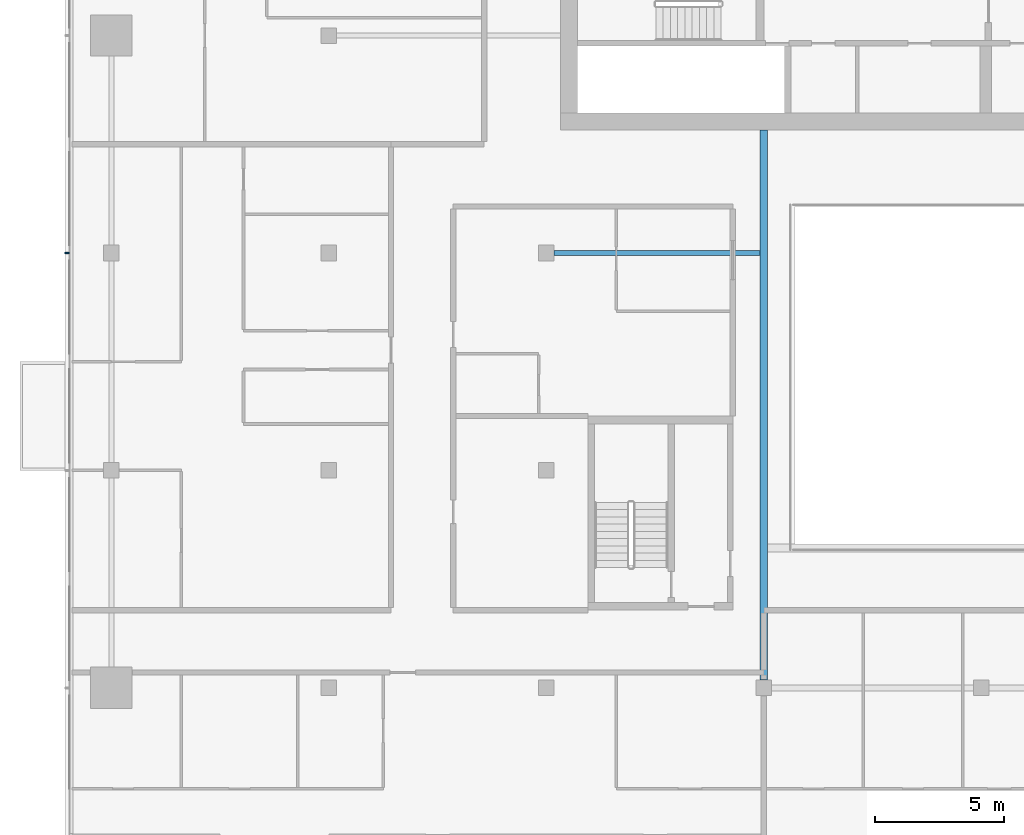
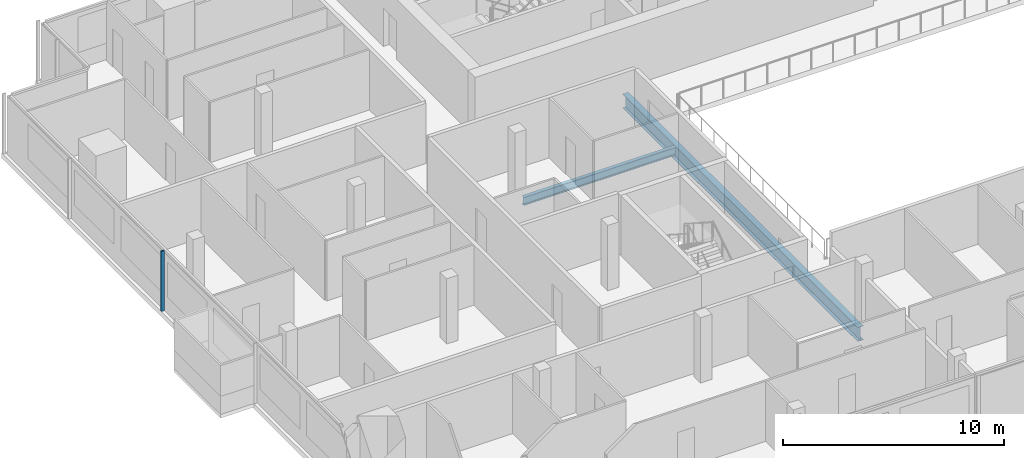
# One storey, part 4 of 27: 2 beams, 1 member, 1 element without a shape of its own.
"""IFC4 building model written with IfcOpenShell, lengths in metres."""

from ifc_helpers import new_model, si_unit, direction, frame, origin, origin_2d, place, context, subcontext, project, spatial, rectangle, i_section, extrude, material, material_profile, profile_set, type_object, element, aggregate, save


model = new_model("IFC4")

# Units and contexts
model_context = context("Model", 3, precision=1e-05, world=origin(), true_north=direction((0.0, 1.0)))
body_context = subcontext(model_context, "Body", "Model", "MODEL_VIEW")
ifc_project = project(units=[si_unit("LENGTHUNIT", "METRE"), si_unit("AREAUNIT", "SQUARE_METRE"), si_unit("VOLUMEUNIT", "CUBIC_METRE"), si_unit("PLANEANGLEUNIT", "RADIAN"), si_unit("MASSUNIT", "GRAM", prefix="KILO")], contexts=[model_context])

# Site, building, storey
site_placement = place(None, origin())
site = spatial("IfcSite", under=ifc_project, at=site_placement, CompositionType="ELEMENT")
building_placement = place(site_placement, origin())
building = spatial("IfcBuilding", under=site, at=building_placement, Name="Saffron Gate Tower", CompositionType="ELEMENT")
storey_placement = place(building_placement, frame((0.0, 0.0, 234.300048828125)))
storey = spatial("IfcBuildingStorey", under=building, at=storey_placement, Name="L57", CompositionType="ELEMENT", Elevation=234.300048828125)

# Beams
ifc_material_1 = material(Name="Structural steel S355", Category="steel")
ifc_material_profile_1 = material_profile(ifc_material_1, i_section(OverallWidth=0.300048828125, OverallDepth=0.7900390625, WebThickness=0.014892578125, FlangeThickness=0.028076171875, FilletRadius=0.030029296875, at=origin_2d()))
ifc_profile_set_1 = profile_set([ifc_material_profile_1], Name="Structural steel S355")
beam_type_1 = type_object("IfcBeamType", Name="B18 HEA 800", PredefinedType="BEAM", material=ifc_profile_set_1)
beam_1_placement = place(storey_placement, frame((75.0, 40.5, -0.675048828125), z_axis=(0.0, 1.0, 0.0), x_axis=(-1.0, 0.0, 0.0)))
element("IfcBeam", 1, at=beam_1_placement, inside=storey, type_object=beam_type_1, Name="B18 ATRIUM GIRDER", PredefinedType="BEAM", context=body_context, shape_type="SweptSolid", body=[
    extrude(i_section(OverallWidth=0.300048828125, OverallDepth=0.7900390625, WebThickness=0.014892578125, FlangeThickness=0.028076171875, FilletRadius=0.030029296875, at=origin_2d()), origin(), (0.0, 0.0, 1.0), 21.25),
])
ifc_material_profile_2 = material_profile(ifc_material_1, i_section(OverallWidth=0.18994140625, OverallDepth=0.449951171875, WebThickness=0.009521484375, FlangeThickness=0.0146484375, FilletRadius=0.02099609375, at=origin_2d()))
ifc_profile_set_2 = profile_set([ifc_material_profile_2], Name="Structural steel S355")
beam_type_2 = type_object("IfcBeamType", Name="B6 IPE 450", PredefinedType="BEAM", material=ifc_profile_set_2)
beam_2_placement = place(storey_placement, frame((66.89990234375, 57.0, -0.505126953125), z_axis=(1.0, 0.0, 0.0), x_axis=(0.0, 1.0, 0.0)))
element("IfcBeam", 2, at=beam_2_placement, inside=storey, type_object=beam_type_2, Name="B6 CORE TIE BEAM", PredefinedType="BEAM", context=body_context, shape_type="SweptSolid", body=[
    extrude(i_section(OverallWidth=0.18994140625, OverallDepth=0.449951171875, WebThickness=0.009521484375, FlangeThickness=0.0146484375, FilletRadius=0.02099609375, at=origin_2d()), origin(), (0.0, 0.0, 1.0), 7.9501953125),
])

# Curtain wall, member
ifc_material_2 = material(Name="Aluminium, bronze anodised", Category="aluminium")
curtain_wall_type = type_object("IfcCurtainWallType", Name="CWS2 curtain wall side facades", PredefinedType="NOTDEFINED", material=ifc_material_2)
curtain_wall_placement = place(storey_placement, origin())
curtain_wall = element("IfcCurtainWall", 3, at=curtain_wall_placement, inside=storey, type_object=curtain_wall_type, Name="CWS2 run 10", PredefinedType="NOTDEFINED")
ifc_material_profile_3 = material_profile(ifc_material_2, rectangle(XDim=0.159912109375, YDim=0.06005859375, at=origin_2d()))
ifc_profile_set_3 = profile_set([ifc_material_profile_3], Name="Aluminium, bronze anodised")
member_type = type_object("IfcMemberType", Name="CWS2 mullion 60x160", PredefinedType="MULLION", material=ifc_profile_set_3)
member_placement = place(storey_placement, frame((48.080078125, 57.0, 0.0), z_axis=(0.0, 0.0, 1.0), x_axis=(1.0, 0.0, 0.0)))
member = element("IfcMember", 4, at=member_placement, type_object=member_type, Name="CWS2 mullion 3", PredefinedType="MULLION", context=body_context, shape_type="SweptSolid", body=[
    extrude(rectangle(XDim=0.159912109375, YDim=0.06005859375, at=origin_2d()), origin(), (0.0, 0.0, 1.0), 3.320068359375),
])
aggregate(curtain_wall, [member])

save(model, "model.ifc")
